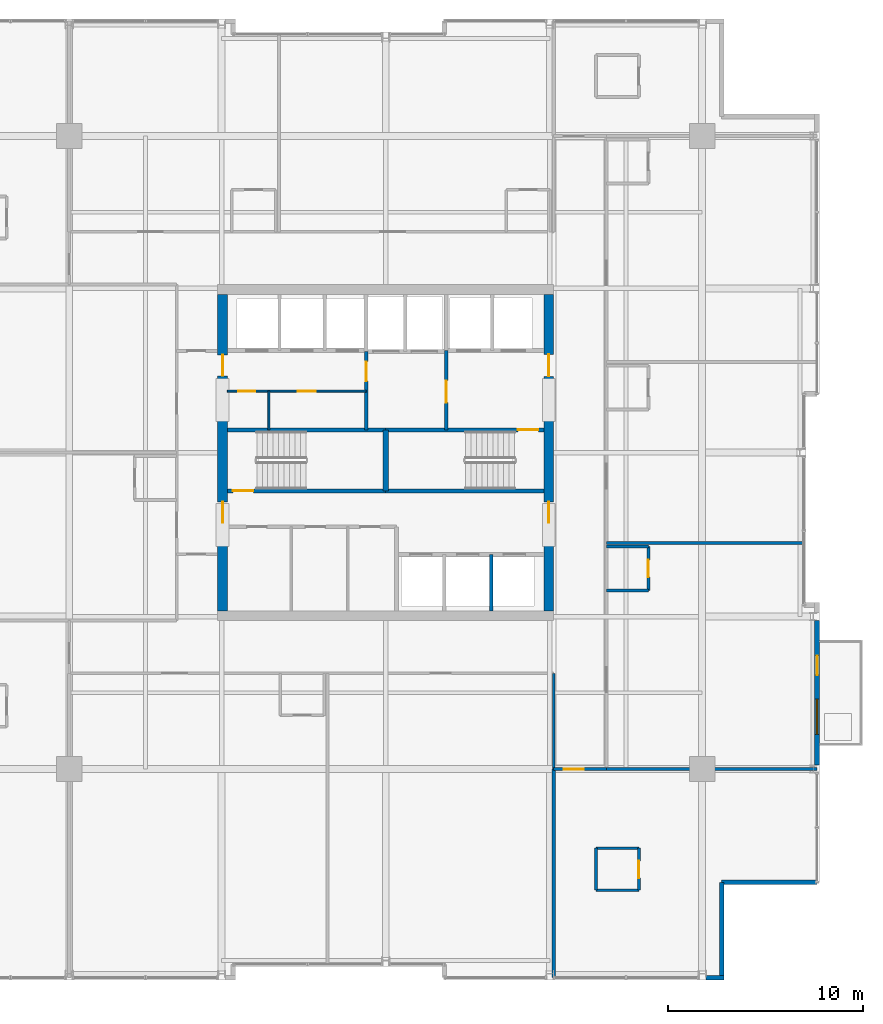
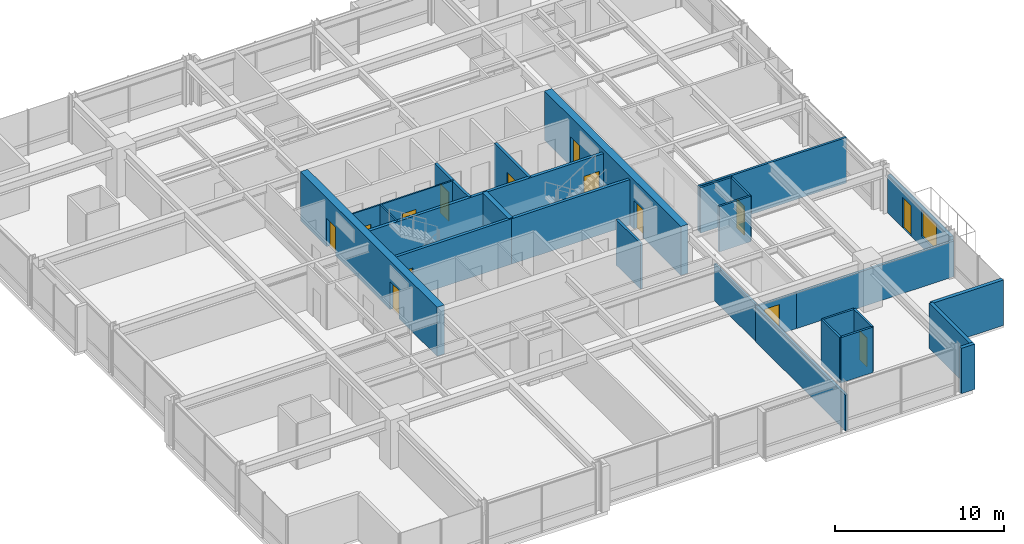
# One storey, part 28 of 32: 28 walls, 14 doors, 1 window, 15 openings.
"""IFC4 building model written with IfcOpenShell, lengths in metres."""

from ifc_helpers import new_model, si_unit, direction, frame, frame_2d, origin, place, context, subcontext, project, spatial, rectangle, extrude, material, layer, layer_set, type_object, element, fill, save


model = new_model("IFC4")

# Units and contexts
model_context = context("Model", 3, precision=1e-05, world=origin(), true_north=direction((0.0, 1.0)))
body_context = subcontext(model_context, "Body", "Model", "MODEL_VIEW")
ifc_project = project(units=[si_unit("LENGTHUNIT", "METRE"), si_unit("AREAUNIT", "SQUARE_METRE"), si_unit("VOLUMEUNIT", "CUBIC_METRE"), si_unit("PLANEANGLEUNIT", "RADIAN"), si_unit("MASSUNIT", "GRAM", prefix="KILO")], contexts=[model_context])

# Site, building, storey
site_placement = place(None, origin())
site = spatial("IfcSite", under=ifc_project, at=site_placement, CompositionType="ELEMENT")
building_placement = place(site_placement, origin())
building = spatial("IfcBuilding", under=site, at=building_placement, Name="Drelvath Grand Hotel", CompositionType="ELEMENT")
storey_placement = place(building_placement, frame((0.0, 0.0, 164.60009765625)))
storey = spatial("IfcBuildingStorey", under=building, at=storey_placement, Name="L42", CompositionType="ELEMENT", Elevation=164.60009765625)

# Wall, openings, doors
ifc_material_1 = material(Name="Gypsum Partition Board")
ifc_layer_1 = layer(ifc_material_1, 0.10009765625)
ifc_layer_set_1 = layer_set([ifc_layer_1], Name="Gypsum Partition Board")
wall_type_1 = type_object("IfcWallType", Name="Core Closet Partition 100", PredefinedType="PARTITIONING", material=ifc_layer_set_1)
wall_1_placement = place(storey_placement, frame((-8.10009765625, 30.139892578125, 0.0), z_axis=(0.0, 0.0, 1.0), x_axis=(1.0, 0.0, 0.0)))
wall_1 = element("IfcWall", 1, at=wall_1_placement, inside=storey, type_object=wall_type_1, Name="L42 High-Rise Lobby Closet Wall", PredefinedType="PARTITIONING", context=body_context, shape_type="SweptSolid", body=[
    extrude(rectangle(XDim=7.10009765625, YDim=0.10009765625, at=frame_2d((3.550048828125, 0.0))), origin(), (0.0, 0.0, 1.0), 3.289794921875),
])
opening_1_placement = place(wall_1_placement, frame((0.550048828125, 0.0, 0.0)))
opening_1 = element("IfcOpeningElement", 2, at=opening_1_placement, cuts=wall_1, Name="Opening D-T3G2-014", PredefinedType="OPENING", context=body_context, shape_type="SweptSolid", body=[
    extrude(rectangle(XDim=0.8798828125, YDim=2.10009765625, at=frame_2d((0.43994140625, 1.050048828125))), frame((0.0, 0.06005859375, 0.0), z_axis=(0.0, -1.0, 0.0), x_axis=(1.0, 0.0, 0.0)), (0.0, 0.0, 1.0), 0.1201171875),
])
opening_2_placement = place(wall_1_placement, frame((3.60009765625, 0.0, 0.0)))
opening_2 = element("IfcOpeningElement", 3, at=opening_2_placement, cuts=wall_1, Name="Opening D-T3G2-015", PredefinedType="OPENING", context=body_context, shape_type="SweptSolid", body=[
    extrude(rectangle(XDim=0.919921875, YDim=2.10009765625, at=frame_2d((0.4599609375, 1.050048828125))), frame((0.0, 0.06005859375, 0.0), z_axis=(0.0, -1.0, 0.0), x_axis=(1.0, 0.0, 0.0)), (0.0, 0.0, 1.0), 0.1201171875),
])
ifc_material_2 = material(Name="Hardwood Walnut Timber", Category="wood")
door_type_1 = type_object("IfcDoorType", Name="En-Suite Bathroom Door 880x2100", OperationType="NOTDEFINED", PredefinedType="DOOR", material=ifc_material_2)
door_1_placement = place(opening_1_placement, origin())
door_1 = element("IfcDoor", 4, at=door_1_placement, inside=storey, type_object=door_type_1, Name="L42 Low-Voltage Closet Door", OperationType="SINGLE_SWING_LEFT", OverallHeight=2.10009765625, OverallWidth=0.8798828125, PredefinedType="DOOR", context=body_context, shape_type="SweptSolid", body=[
    extrude(rectangle(XDim=0.8798828125, YDim=2.10009765625, at=frame_2d((0.43994140625, 1.050048828125))), frame((0.0, 0.02490234375, 0.0), z_axis=(0.0, -1.0, 0.0), x_axis=(1.0, 0.0, 0.0)), (0.0, 0.0, 1.0), 0.050048828125),
])
fill(opening_1, door_1)
ifc_material_3 = material(Name="Painted Steel S275", Category="steel")
door_type_2 = type_object("IfcDoorType", Name="Staff Utility Door 920x2100", OperationType="NOTDEFINED", PredefinedType="DOOR", material=ifc_material_3)
door_2_placement = place(opening_2_placement, origin())
door_2 = element("IfcDoor", 5, at=door_2_placement, inside=storey, type_object=door_type_2, Name="L42 Telecom Distribution Door", OperationType="SINGLE_SWING_RIGHT", OverallHeight=2.10009765625, OverallWidth=0.919921875, PredefinedType="DOOR", context=body_context, shape_type="SweptSolid", body=[
    extrude(rectangle(XDim=0.919921875, YDim=2.10009765625, at=frame_2d((0.4599609375, 1.050048828125))), frame((0.0, 0.02490234375, 0.0), z_axis=(0.0, -1.0, 0.0), x_axis=(1.0, 0.0, 0.0)), (0.0, 0.0, 1.0), 0.050048828125),
])
fill(opening_2, door_2)

# Wall
wall_2_placement = place(storey_placement, frame((-5.97998046875, 28.159912109375, 0.0), z_axis=(0.0, 0.0, 1.0), x_axis=(0.0, 1.0, 0.0)))
element("IfcWall", 6, at=wall_2_placement, inside=storey, type_object=wall_type_1, Name="L42 Core Closet Split 2", PredefinedType="PARTITIONING", context=body_context, shape_type="SweptSolid", body=[
    extrude(rectangle(XDim=1.97998046875, YDim=0.10009765625, at=frame_2d((0.989990234375, 0.0))), origin(), (0.0, 0.0, 1.0), 3.289794921875),
])

# Wall, opening, door
ifc_material_4 = material(Name="Concrete C40/50", Category="concrete")
ifc_layer_2 = layer(ifc_material_4, 0.199951171875)
ifc_layer_set_2 = layer_set([ifc_layer_2], Name="Concrete C40/50")
wall_type_2 = type_object("IfcWallType", Name="Core Shaft Fire Wall 200", PredefinedType="SOLIDWALL", material=ifc_layer_set_2)
wall_3_placement = place(storey_placement, frame((-8.10009765625, 25.0400390625, 0.0), z_axis=(0.0, 0.0, 1.0), x_axis=(1.0, 0.0, 0.0)))
wall_3 = element("IfcWall", 7, at=wall_3_placement, inside=storey, type_object=wall_type_2, Name="L42 Stair ST-1 South Wall", PredefinedType="SOLIDWALL", context=body_context, shape_type="SweptSolid", body=[
    extrude(rectangle(XDim=8.10009765625, YDim=0.199951171875, at=frame_2d((4.050048828125, 0.0))), origin(), (0.0, 0.0, 1.0), 3.289794921875),
])
opening_3_placement = place(wall_3_placement, frame((0.280029296875, 0.0, 0.0)))
opening_3 = element("IfcOpeningElement", 8, at=opening_3_placement, cuts=wall_3, Name="Opening D-T3G2-001", PredefinedType="OPENING", context=body_context, shape_type="SweptSolid", body=[
    extrude(rectangle(XDim=1.050048828125, YDim=2.10009765625, at=frame_2d((0.52490234375, 1.050048828125))), frame((0.0, 0.10986328125, 0.0), z_axis=(0.0, -1.0, 0.0), x_axis=(1.0, 0.0, 0.0)), (0.0, 0.0, 1.0), 0.219970703125),
])
door_type_3 = type_object("IfcDoorType", Name="Tower Stairwell Fire Door 1050x2100", OperationType="NOTDEFINED", PredefinedType="DOOR", material=ifc_material_3)
door_3_placement = place(opening_3_placement, origin())
door_3 = element("IfcDoor", 9, at=door_3_placement, inside=storey, type_object=door_type_3, Name="L42 Exit Stair ST-1 Door", OperationType="SINGLE_SWING_LEFT", OverallHeight=2.10009765625, OverallWidth=1.050048828125, PredefinedType="DOOR", context=body_context, shape_type="SweptSolid", body=[
    extrude(rectangle(XDim=1.050048828125, YDim=2.10009765625, at=frame_2d((0.52490234375, 1.050048828125))), frame((0.0, 0.02490234375, 0.0), z_axis=(0.0, -1.0, 0.0), x_axis=(1.0, 0.0, 0.0)), (0.0, 0.0, 1.0), 0.050048828125),
])
fill(opening_3, door_3)

# Walls
for number, where, z_axis, x_axis, name in (
    (10, (-8.10009765625, 28.159912109375, 0.0), (0.0, 0.0, 1.0), (1.0, 0.0, 0.0), "L42 Stair ST-1 North Wall"),
    (11, (0.0, 25.0400390625, 0.0), (0.0, 0.0, 1.0), (1.0, 0.0, 0.0), "L42 Stair ST-2 South Wall"),
):
    element("IfcWall", number, at=place(storey_placement, frame(where, z_axis=z_axis, x_axis=x_axis)), inside=storey, type_object=wall_type_2, Name=name, PredefinedType="SOLIDWALL", context=body_context, shape_type="SweptSolid", body=[
        extrude(rectangle(XDim=8.10009765625, YDim=0.199951171875, at=frame_2d((4.050048828125, 0.0))), origin(), (0.0, 0.0, 1.0), 3.289794921875),
    ])

# Wall, opening, door
wall_4_placement = place(storey_placement, frame((8.10009765625, 28.159912109375, 0.0), z_axis=(0.0, 0.0, 1.0), x_axis=(-1.0, 0.0, 0.0)))
wall_4 = element("IfcWall", 12, at=wall_4_placement, inside=storey, type_object=wall_type_2, Name="L42 Stair ST-2 North Wall", PredefinedType="SOLIDWALL", context=body_context, shape_type="SweptSolid", body=[
    extrude(rectangle(XDim=8.10009765625, YDim=0.199951171875, at=frame_2d((4.050048828125, 0.0))), origin(), (0.0, 0.0, 1.0), 3.289794921875),
])
opening_4_placement = place(wall_4_placement, frame((0.280029296875, 0.0, 0.0)))
opening_4 = element("IfcOpeningElement", 13, at=opening_4_placement, cuts=wall_4, Name="Opening D-T3G2-002", PredefinedType="OPENING", context=body_context, shape_type="SweptSolid", body=[
    extrude(rectangle(XDim=1.050048828125, YDim=2.10009765625, at=frame_2d((0.52490234375, 1.050048828125))), frame((0.0, 0.10986328125, 0.0), z_axis=(0.0, -1.0, 0.0), x_axis=(1.0, 0.0, 0.0)), (0.0, 0.0, 1.0), 0.219970703125),
])
door_4_placement = place(opening_4_placement, origin())
door_4 = element("IfcDoor", 14, at=door_4_placement, inside=storey, type_object=door_type_3, Name="L42 Exit Stair ST-2 Door", OperationType="SINGLE_SWING_LEFT", OverallHeight=2.10009765625, OverallWidth=1.050048828125, PredefinedType="DOOR", context=body_context, shape_type="SweptSolid", body=[
    extrude(rectangle(XDim=1.050048828125, YDim=2.10009765625, at=frame_2d((0.52490234375, 1.050048828125))), frame((0.0, 0.02490234375, 0.0), z_axis=(0.0, -1.0, 0.0), x_axis=(1.0, 0.0, 0.0)), (0.0, 0.0, 1.0), 0.050048828125),
])
fill(opening_4, door_4)

# Walls
ifc_layer_3 = layer(ifc_material_4, 0.300048828125)
ifc_layer_set_3 = layer_set([ifc_layer_3], Name="Concrete C40/50")
wall_type_3 = type_object("IfcWallType", Name="Core Shaft Fire Wall 300", PredefinedType="SOLIDWALL", material=ifc_layer_set_3)
wall_5_placement = place(storey_placement, frame((0.0, 25.0400390625, 0.0), z_axis=(0.0, 0.0, 1.0), x_axis=(0.0, 1.0, 0.0)))
element("IfcWall", 15, at=wall_5_placement, inside=storey, type_object=wall_type_3, Name="L42 Core Stair Divider Wall", PredefinedType="SOLIDWALL", context=body_context, shape_type="SweptSolid", body=[
    extrude(rectangle(XDim=3.119873046875, YDim=0.300048828125, at=frame_2d((1.56005859375, 0.0))), origin(), (0.0, 0.0, 1.0), 3.289794921875),
])
ifc_material_5 = material(Name="Gypsum Fireboard Partition")
ifc_layer_4 = layer(ifc_material_5, 0.1650390625)
ifc_layer_set_4 = layer_set([ifc_layer_4], Name="Gypsum Fireboard Partition")
wall_type_4 = type_object("IfcWallType", Name="Core Shaft Partition 165", PredefinedType="PARTITIONING", material=ifc_layer_set_4)
wall_6_placement = place(storey_placement, frame((5.39990234375, 18.89990234375, 0.0), z_axis=(0.0, 0.0, 1.0), x_axis=(0.0, 1.0, 0.0)))
element("IfcWall", 16, at=wall_6_placement, inside=storey, type_object=wall_type_4, Name="L42 Lift PE-5/6 Divider", PredefinedType="PARTITIONING", context=body_context, shape_type="SweptSolid", body=[
    extrude(rectangle(XDim=2.880126953125, YDim=0.1650390625, at=frame_2d((1.43994140625, 0.0))), origin(), (0.0, 0.0, 1.0), 3.289794921875),
])
ifc_layer_5 = layer(ifc_material_5, 0.135009765625)
ifc_layer_set_5 = layer_set([ifc_layer_5], Name="Gypsum Fireboard Partition")
wall_type_5 = type_object("IfcWallType", Name="Corridor Fire Barrier Wall 135", PredefinedType="PARTITIONING", material=ifc_layer_set_5)
wall_7_placement = place(storey_placement, frame((8.60009765625, 10.800048828125, 0.0), z_axis=(0.0, 0.0, 1.0), x_axis=(0.0, 1.0, 0.0)))
element("IfcWall", 17, at=wall_7_placement, inside=storey, type_object=wall_type_5, Name="L42 East Spine South Inner Wall", PredefinedType="PARTITIONING", context=body_context, shape_type="SweptSolid", body=[
    extrude(rectangle(XDim=4.89990234375, YDim=0.135009765625, at=frame_2d((2.449951171875, 0.0))), origin(), (0.0, 0.0, 1.0), 2.667236328125),
])

# Wall, opening, door
wall_8_placement = place(storey_placement, frame((8.60009765625, 10.800048828125, 0.0), z_axis=(0.0, 0.0, 1.0), x_axis=(1.0, 0.0, 0.0)))
wall_8 = element("IfcWall", 18, at=wall_8_placement, inside=storey, type_object=wall_type_5, Name="L42 East Spine South End", PredefinedType="PARTITIONING", context=body_context, shape_type="SweptSolid", body=[
    extrude(rectangle(XDim=2.699951171875, YDim=0.135009765625, at=frame_2d((1.35009765625, 0.0))), origin(), (0.0, 0.0, 1.0), 2.579345703125),
])
opening_5_placement = place(wall_8_placement, frame((0.52001953125, 0.0, 0.0)))
opening_5 = element("IfcOpeningElement", 19, at=opening_5_placement, cuts=wall_8, Name="Opening D-T3G2-031", PredefinedType="OPENING", context=body_context, shape_type="SweptSolid", body=[
    extrude(rectangle(XDim=1.02001953125, YDim=2.14990234375, at=frame_2d((0.510009765625, 1.074951171875))), frame((0.0, 0.077392578125, 0.0), z_axis=(0.0, -1.0, 0.0), x_axis=(1.0, 0.0, 0.0)), (0.0, 0.0, 1.0), 0.155029296875),
])
door_type_4 = type_object("IfcDoorType", Name="Amenity Meeting Fire Door 1020x2150", OperationType="NOTDEFINED", PredefinedType="DOOR", material=ifc_material_2)
door_5_placement = place(opening_5_placement, origin())
door_5 = element("IfcDoor", 20, at=door_5_placement, inside=storey, type_object=door_type_4, Name="L42 Executive Suite Entry Door", OperationType="SINGLE_SWING_LEFT", OverallHeight=2.14990234375, OverallWidth=1.02001953125, PredefinedType="DOOR", context=body_context, shape_type="SweptSolid", body=[
    extrude(rectangle(XDim=1.02001953125, YDim=2.14990234375, at=frame_2d((0.510009765625, 1.074951171875))), frame((0.0, 0.02490234375, 0.0), z_axis=(0.0, -1.0, 0.0), x_axis=(1.0, 0.0, 0.0)), (0.0, 0.0, 1.0), 0.050048828125),
])
fill(opening_5, door_5)

# Walls
ifc_material_6 = material(Name="Moisture-Resistant Gypsum Board")
ifc_layer_6 = layer(ifc_material_6, 0.139892578125)
ifc_layer_set_6 = layer_set([ifc_layer_6], Name="Moisture-Resistant Gypsum Board")
wall_type_6 = type_object("IfcWallType", Name="En-Suite Plumbing Wall 140", PredefinedType="PLUMBINGWALL", material=ifc_layer_set_6)
for number, where, z_axis, x_axis, name in (
    (21, (10.760009765625, 4.60009765625, 0.0), (0.0, 0.0, 1.0), (1.0, 0.0, 0.0), "L42 Corner En-Suite South"),
    (22, (10.760009765625, 6.75, 0.0), (0.0, 0.0, 1.0), (1.0, 0.0, 0.0), "L42 Corner En-Suite North"),
):
    element("IfcWall", number, at=place(storey_placement, frame(where, z_axis=z_axis, x_axis=x_axis)), inside=storey, type_object=wall_type_6, Name=name, PredefinedType="PLUMBINGWALL", context=body_context, shape_type="SweptSolid", body=[
        extrude(rectangle(XDim=2.199951171875, YDim=0.139892578125, at=frame_2d((1.10009765625, 0.0))), origin(), (0.0, 0.0, 1.0), 3.289794921875),
    ])
wall_9_placement = place(storey_placement, frame((10.760009765625, 4.60009765625, 0.0), z_axis=(0.0, 0.0, 1.0), x_axis=(0.0, 1.0, 0.0)))
element("IfcWall", 23, at=wall_9_placement, inside=storey, type_object=wall_type_6, Name="L42 Corner En-Suite West", PredefinedType="PLUMBINGWALL", context=body_context, shape_type="SweptSolid", body=[
    extrude(rectangle(XDim=2.14990234375, YDim=0.139892578125, at=frame_2d((1.074951171875, 0.0))), origin(), (0.0, 0.0, 1.0), 3.289794921875),
])

# Wall, opening, door
wall_10_placement = place(storey_placement, frame((12.9599609375, 4.60009765625, 0.0), z_axis=(0.0, 0.0, 1.0), x_axis=(0.0, 1.0, 0.0)))
wall_10 = element("IfcWall", 24, at=wall_10_placement, inside=storey, type_object=wall_type_6, Name="L42 Corner En-Suite East", PredefinedType="PLUMBINGWALL", context=body_context, shape_type="SweptSolid", body=[
    extrude(rectangle(XDim=2.14990234375, YDim=0.139892578125, at=frame_2d((1.074951171875, 0.0))), origin(), (0.0, 0.0, 1.0), 3.289794921875),
])
opening_6_placement = place(wall_10_placement, frame((0.6201171875, 0.0, 0.0)))
opening_6 = element("IfcOpeningElement", 25, at=opening_6_placement, cuts=wall_10, Name="Opening D-T3G2-030", PredefinedType="OPENING", context=body_context, shape_type="SweptSolid", body=[
    extrude(rectangle(XDim=0.8798828125, YDim=2.10009765625, at=frame_2d((0.43994140625, 1.050048828125))), frame((0.0, 0.079833984375, 0.0), z_axis=(0.0, -1.0, 0.0), x_axis=(1.0, 0.0, 0.0)), (0.0, 0.0, 1.0), 0.159912109375),
])
door_6_placement = place(opening_6_placement, origin())
door_6 = element("IfcDoor", 26, at=door_6_placement, inside=storey, type_object=door_type_1, Name="L42 Corner En-Suite Door", OperationType="SINGLE_SWING_RIGHT", OverallHeight=2.10009765625, OverallWidth=0.8798828125, PredefinedType="DOOR", context=body_context, shape_type="SweptSolid", body=[
    extrude(rectangle(XDim=0.8798828125, YDim=2.10009765625, at=frame_2d((0.43994140625, 1.050048828125))), frame((0.0, 0.02490234375, 0.0), z_axis=(0.0, -1.0, 0.0), x_axis=(1.0, 0.0, 0.0)), (0.0, 0.0, 1.0), 0.050048828125),
])
fill(opening_6, door_6)

# Walls
for number, where, z_axis, x_axis, name in (
    (27, (11.300048828125, 19.94140625, 0.0), (0.0, 0.0, 1.0), (1.0, 0.0, 0.0), "L42 En-Suite Left Wall"),
    (28, (11.300048828125, 22.19140625, 0.0), (0.0, 0.0, 1.0), (1.0, 0.0, 0.0), "L42 En-Suite Right Wall"),
):
    element("IfcWall", number, at=place(storey_placement, frame(where, z_axis=z_axis, x_axis=x_axis)), inside=storey, type_object=wall_type_6, Name=name, PredefinedType="PLUMBINGWALL", context=body_context, shape_type="SweptSolid", body=[
        extrude(rectangle(XDim=2.14990234375, YDim=0.139892578125, at=frame_2d((1.074951171875, 0.0))), origin(), (0.0, 0.0, 1.0), 3.289794921875),
    ])

# Wall, opening, door
wall_11_placement = place(storey_placement, frame((13.449951171875, 19.94140625, 0.0), z_axis=(0.0, 0.0, 1.0), x_axis=(0.0, 1.0, 0.0)))
wall_11 = element("IfcWall", 29, at=wall_11_placement, inside=storey, type_object=wall_type_6, Name="L42 En-Suite Front Wall", PredefinedType="PLUMBINGWALL", context=body_context, shape_type="SweptSolid", body=[
    extrude(rectangle(XDim=2.25, YDim=0.139892578125, at=frame_2d((1.125, 0.0))), origin(), (0.0, 0.0, 1.0), 3.289794921875),
])
opening_7_placement = place(wall_11_placement, frame((0.68505859375, 0.0, 0.0)))
opening_7 = element("IfcOpeningElement", 30, at=opening_7_placement, cuts=wall_11, Name="Opening D-T3G2-041", PredefinedType="OPENING", context=body_context, shape_type="SweptSolid", body=[
    extrude(rectangle(XDim=0.8798828125, YDim=2.10009765625, at=frame_2d((0.43994140625, 1.050048828125))), frame((0.0, 0.079833984375, 0.0), z_axis=(0.0, -1.0, 0.0), x_axis=(1.0, 0.0, 0.0)), (0.0, 0.0, 1.0), 0.159912109375),
])
door_7_placement = place(opening_7_placement, origin())
door_7 = element("IfcDoor", 31, at=door_7_placement, inside=storey, type_object=door_type_1, Name="L42 En-Suite Bathroom Door", OperationType="SINGLE_SWING_LEFT", OverallHeight=2.10009765625, OverallWidth=0.8798828125, PredefinedType="DOOR", context=body_context, shape_type="SweptSolid", body=[
    extrude(rectangle(XDim=0.8798828125, YDim=2.10009765625, at=frame_2d((0.43994140625, 1.050048828125))), frame((0.0, 0.02490234375, 0.0), z_axis=(0.0, -1.0, 0.0), x_axis=(1.0, 0.0, 0.0)), (0.0, 0.0, 1.0), 0.050048828125),
])
fill(opening_7, door_7)

ifc_layer_7 = layer(ifc_material_5, 0.179931640625)
ifc_layer_set_7 = layer_set([ifc_layer_7], Name="Gypsum Fireboard Partition")
wall_type_7 = type_object("IfcWallType", Name="FSAE Smoke Lobby Fire Wall 180", PredefinedType="SOLIDWALL", material=ifc_layer_set_7)
wall_12_placement = place(storey_placement, frame((3.10009765625, 28.159912109375, 0.0), z_axis=(0.0, 0.0, 1.0), x_axis=(0.0, 1.0, 0.0)))
wall_12 = element("IfcWall", 32, at=wall_12_placement, inside=storey, type_object=wall_type_7, Name="L42 FSAE Smoke Lobby West Wall", PredefinedType="SOLIDWALL", context=body_context, shape_type="SweptSolid", body=[
    extrude(rectangle(XDim=4.06005859375, YDim=0.179931640625, at=frame_2d((2.030029296875, 0.0))), origin(), (0.0, 0.0, 1.0), 3.289794921875),
])
opening_8_placement = place(wall_12_placement, frame((1.39990234375, 0.0, 0.0)))
opening_8 = element("IfcOpeningElement", 33, at=opening_8_placement, cuts=wall_12, Name="Opening D-T3G2-005", PredefinedType="OPENING", context=body_context, shape_type="SweptSolid", body=[
    extrude(rectangle(XDim=1.1201171875, YDim=2.10009765625, at=frame_2d((0.56005859375, 1.050048828125))), frame((0.0, 0.099853515625, 0.0), z_axis=(0.0, -1.0, 0.0), x_axis=(1.0, 0.0, 0.0)), (0.0, 0.0, 1.0), 0.199951171875),
])
door_type_5 = type_object("IfcDoorType", Name="FSAE Smoke Lobby Fire Door 1120x2100", OperationType="NOTDEFINED", PredefinedType="DOOR", material=ifc_material_3)
door_8_placement = place(opening_8_placement, origin())
door_8 = element("IfcDoor", 34, at=door_8_placement, inside=storey, type_object=door_type_5, Name="L42 FSAE Lobby Service Vestibule Door", OperationType="SINGLE_SWING_RIGHT", OverallHeight=2.10009765625, OverallWidth=1.1201171875, PredefinedType="DOOR", context=body_context, shape_type="SweptSolid", body=[
    extrude(rectangle(XDim=1.1201171875, YDim=2.10009765625, at=frame_2d((0.56005859375, 1.050048828125))), frame((0.0, 0.02490234375, 0.0), z_axis=(0.0, -1.0, 0.0), x_axis=(1.0, 0.0, 0.0)), (0.0, 0.0, 1.0), 0.050048828125),
])
fill(opening_8, door_8)

wall_13_placement = place(storey_placement, frame((-1.0, 28.159912109375, 0.0), z_axis=(0.0, 0.0, 1.0), x_axis=(0.0, 1.0, 0.0)))
wall_13 = element("IfcWall", 35, at=wall_13_placement, inside=storey, type_object=wall_type_7, Name="L42 Service Vestibule West Wall", PredefinedType="SOLIDWALL", context=body_context, shape_type="SweptSolid", body=[
    extrude(rectangle(XDim=4.02001953125, YDim=0.179931640625, at=frame_2d((2.010009765625, 0.0))), origin(), (0.0, 0.0, 1.0), 3.289794921875),
])
opening_9_placement = place(wall_13_placement, frame((2.489990234375, 0.0, 0.0)))
opening_9 = element("IfcOpeningElement", 36, at=opening_9_placement, cuts=wall_13, Name="Opening D-T3G2-009", PredefinedType="OPENING", context=body_context, shape_type="SweptSolid", body=[
    extrude(rectangle(XDim=1.0, YDim=2.10009765625, at=frame_2d((0.5, 1.050048828125))), frame((0.0, 0.099853515625, 0.0), z_axis=(0.0, -1.0, 0.0), x_axis=(1.0, 0.0, 0.0)), (0.0, 0.0, 1.0), 0.199951171875),
])
door_type_6 = type_object("IfcDoorType", Name="Core Service Fire Door 1000x2100", OperationType="NOTDEFINED", PredefinedType="DOOR", material=ifc_material_3)
door_9_placement = place(opening_9_placement, origin())
door_9 = element("IfcDoor", 37, at=door_9_placement, inside=storey, type_object=door_type_6, Name="L42 Service Vestibule West Door", OperationType="SINGLE_SWING_LEFT", OverallHeight=2.10009765625, OverallWidth=1.0, PredefinedType="DOOR", context=body_context, shape_type="SweptSolid", body=[
    extrude(rectangle(XDim=1.0, YDim=2.10009765625, at=frame_2d((0.5, 1.050048828125))), frame((0.0, 0.02490234375, 0.0), z_axis=(0.0, -1.0, 0.0), x_axis=(1.0, 0.0, 0.0)), (0.0, 0.0, 1.0), 0.050048828125),
])
fill(opening_9, door_9)

# Walls
ifc_material_7 = material(Name="Gypsum Acoustic Partition")
ifc_layer_8 = layer(ifc_material_7, 0.14990234375)
ifc_layer_set_8 = layer_set([ifc_layer_8], Name="Gypsum Acoustic Partition")
wall_type_8 = type_object("IfcWallType", Name="Guestroom Demising Wall 150", PredefinedType="PARTITIONING", material=ifc_layer_set_8)
wall_14_placement = place(storey_placement, frame((11.300048828125, 22.371337890625, 0.0), z_axis=(0.0, 0.0, 1.0), x_axis=(1.0, 0.0, 0.0)))
element("IfcWall", 38, at=wall_14_placement, inside=storey, type_object=wall_type_8, Name="L42 East Demising 1", PredefinedType="PARTITIONING", context=body_context, shape_type="SweptSolid", body=[
    extrude(rectangle(XDim=10.099853515625, YDim=0.14990234375, at=frame_2d((5.0498046875, 0.0))), origin(), (0.0, 0.0, 1.0), 3.289794921875),
])
ifc_layer_9 = layer(ifc_material_7, 0.1650390625)
ifc_layer_set_9 = layer_set([ifc_layer_9], Name="Gypsum Acoustic Partition")
wall_type_9 = type_object("IfcWallType", Name="Suite Demising Wall 165", PredefinedType="PARTITIONING", material=ifc_layer_set_9)
wall_15_placement = place(storey_placement, frame((8.60009765625, 0.1201171875, 0.0), z_axis=(0.0, 0.0, 1.0), x_axis=(0.0, 1.0, 0.0)))
element("IfcWall", 39, at=wall_15_placement, inside=storey, type_object=wall_type_9, Name="L42 SE Suite West Wall", PredefinedType="PARTITIONING", context=body_context, shape_type="SweptSolid", body=[
    extrude(rectangle(XDim=10.679931640625, YDim=0.1650390625, at=frame_2d((5.33984375, 0.0))), origin(), (0.0, 0.0, 1.0), 2.579345703125),
])
wall_16_placement = place(storey_placement, frame((11.300048828125, 10.800048828125, 0.0), z_axis=(0.0, 0.0, 1.0), x_axis=(1.0, 0.0, 0.0)))
element("IfcWall", 40, at=wall_16_placement, inside=storey, type_object=wall_type_9, Name="L42 SE Suite North Wall", PredefinedType="PARTITIONING", context=body_context, shape_type="SweptSolid", body=[
    extrude(rectangle(XDim=10.780029296875, YDim=0.1650390625, at=frame_2d((5.39013671875, 0.0))), origin(), (0.0, 0.0, 1.0), 2.579345703125),
])

# Wall, openings, window, door
ifc_material_8 = material(Name="Pale-Metal Insulated Aluminium Spandrel Assembly", Category="aluminium")
ifc_layer_10 = layer(ifc_material_8, 0.239990234375)
ifc_layer_set_10 = layer_set([ifc_layer_10], Name="Pale-Metal Insulated Aluminium Spandrel Assembly")
wall_type_10 = type_object("IfcWallType", Name="Tower Insulated Metal Spandrel Closure Wall 240", PredefinedType="STANDARD", material=ifc_layer_set_10)
wall_17_placement = place(storey_placement, frame((22.080078125, 18.39990234375, 0.0), z_axis=(0.0, 0.0, 1.0), x_axis=(0.0, -1.0, 0.0)))
wall_17 = element("IfcWall", 41, at=wall_17_placement, inside=storey, type_object=wall_type_10, Name="L42 Exterior Terrace Door Bay Wall ES2", PredefinedType="STANDARD", context=body_context, shape_type="SweptSolid", body=[
    extrude(rectangle(XDim=7.39990234375, YDim=0.239990234375, at=frame_2d((3.699951171875, 0.0))), origin(), (0.0, 0.0, 1.0), 2.753173828125),
])
opening_10_placement = place(wall_17_placement, frame((1.800048828125, 0.0, 0.0)))
opening_10 = element("IfcOpeningElement", 42, at=opening_10_placement, cuts=wall_17, Name="Opening TD-1000", PredefinedType="OPENING", context=body_context, shape_type="SweptSolid", body=[
    extrude(rectangle(XDim=1.0, YDim=2.199951171875, at=frame_2d((0.5, 1.10009765625))), frame((0.0, 0.1298828125, 0.0), z_axis=(0.0, -1.0, 0.0), x_axis=(1.0, 0.0, 0.0)), (0.0, 0.0, 1.0), 0.260009765625),
])
opening_11_placement = place(wall_17_placement, frame((4.02490234375, 0.0, 0.75)))
opening_11 = element("IfcOpeningElement", 43, at=opening_11_placement, cuts=wall_17, Name="Opening W-02", PredefinedType="OPENING", context=body_context, shape_type="SweptSolid", body=[
    extrude(rectangle(XDim=1.800048828125, YDim=1.9033203125, at=frame_2d((0.89990234375, 0.95166015625))), frame((0.0, 0.1298828125, 0.0), z_axis=(0.0, -1.0, 0.0), x_axis=(1.0, 0.0, 0.0)), (0.0, 0.0, 1.0), 0.260009765625),
])
ifc_material_9 = material(Name="Bronze Anodised Low-E Triple Glazing", Category="glass")
window_type = type_object("IfcWindowType", Name="Chicago Double-Pane Podium Window 1800x2400", PartitioningType="DOUBLE_PANEL_VERTICAL", PredefinedType="WINDOW", material=ifc_material_9)
window_placement = place(opening_11_placement, origin())
window = element("IfcWindow", 44, at=window_placement, inside=storey, type_object=window_type, Name="L42 Terrace Bay Companion Window ES2", OverallHeight=1.9033203125, OverallWidth=1.800048828125, PartitioningType="SINGLE_PANEL", PredefinedType="WINDOW", context=body_context, shape_type="SweptSolid", body=[
    extrude(rectangle(XDim=1.800048828125, YDim=1.9033203125, at=frame_2d((0.89990234375, 0.95166015625))), frame((0.0, 0.030029296875, 0.0), z_axis=(0.0, -1.0, 0.0), x_axis=(1.0, 0.0, 0.0)), (0.0, 0.0, 1.0), 0.06005859375),
])
fill(opening_11, window)
ifc_material_10 = material(Name="Anodised Aluminium Thermally Broken Glazed Door", Category="aluminium")
door_type_7 = type_object("IfcDoorType", Name="Terrace and Tree Balcony Glazed Door 1000x2200", OperationType="NOTDEFINED", PredefinedType="DOOR", material=ifc_material_10)
door_10_placement = place(opening_10_placement, origin())
door_10 = element("IfcDoor", 45, at=door_10_placement, inside=storey, type_object=door_type_7, Name="L42 Tree Balcony Door DOOR-L42-TBAL-1", OperationType="SINGLE_SWING_LEFT", OverallHeight=2.199951171875, OverallWidth=1.0, PredefinedType="DOOR", context=body_context, shape_type="SweptSolid", body=[
    extrude(rectangle(XDim=1.0, YDim=2.199951171875, at=frame_2d((0.5, 1.10009765625))), frame((0.0, 0.02490234375, 0.0), z_axis=(0.0, -1.0, 0.0), x_axis=(1.0, 0.0, 0.0)), (0.0, 0.0, 1.0), 0.050048828125),
])
fill(opening_10, door_10)

# Walls
wall_18_placement = place(storey_placement, frame((17.320068359375, 0.1201171875, 0.0), z_axis=(0.0, 0.0, 1.0), x_axis=(-1.0, 0.0, 0.0)))
element("IfcWall", 46, at=wall_18_placement, inside=storey, type_object=wall_type_10, Name="L42 Corner Pier Spandrel Wall SE3", PredefinedType="STANDARD", context=body_context, shape_type="SweptSolid", body=[
    extrude(rectangle(XDim=0.919921875, YDim=0.239990234375, at=frame_2d((0.4599609375, 0.0))), origin(), (0.0, 0.0, 1.0), 3.289794921875),
])
wall_19_placement = place(storey_placement, frame((22.080078125, 5.0, 0.0), z_axis=(0.0, 0.0, 1.0), x_axis=(-1.0, 0.0, 0.0)))
element("IfcWall", 47, at=wall_19_placement, inside=storey, type_object=wall_type_10, Name="L42 Notched Corner Return Spandrel Wall CSE1", PredefinedType="STANDARD", context=body_context, shape_type="SweptSolid", body=[
    extrude(rectangle(XDim=4.880126953125, YDim=0.239990234375, at=frame_2d((2.43994140625, 0.0))), origin(), (0.0, 0.0, 1.0), 3.289794921875),
])
wall_20_placement = place(storey_placement, frame((17.199951171875, 5.0, 0.0), z_axis=(0.0, 0.0, 1.0), x_axis=(0.0, -1.0, 0.0)))
element("IfcWall", 48, at=wall_20_placement, inside=storey, type_object=wall_type_10, Name="L42 Notched Corner Return Spandrel Wall CSE2", PredefinedType="STANDARD", context=body_context, shape_type="SweptSolid", body=[
    extrude(rectangle(XDim=4.760009765625, YDim=0.239990234375, at=frame_2d((2.3798828125, 0.0))), origin(), (0.0, 0.0, 1.0), 3.289794921875),
])

# Wall, openings, doors
ifc_material_11 = material(Name="Concrete f'c 55 MPa", Category="concrete")
ifc_layer_11 = layer(ifc_material_11, 0.5)
ifc_layer_set_11 = layer_set([ifc_layer_11], Name="Concrete f'c 55 MPa")
wall_type_11 = type_object("IfcWallType", Name="Upper Core RC Shear Wall 500", PredefinedType="SHEAR", material=ifc_layer_set_11)
wall_21_placement = place(storey_placement, frame((8.35009765625, 35.10009765625, 0.0), z_axis=(0.0, 0.0, 1.0), x_axis=(0.0, -1.0, 0.0)))
wall_21 = element("IfcWall", 49, at=wall_21_placement, inside=storey, type_object=wall_type_11, Name="L42 Central Core Shear Wall E", PredefinedType="SHEAR", context=body_context, shape_type="SweptSolid", body=[
    extrude(rectangle(XDim=16.2001953125, YDim=0.5, at=frame_2d((8.10009765625, 0.0))), origin(), (0.0, 0.0, 1.0), 3.5498046875),
])
opening_12_placement = place(wall_21_placement, frame((3.080078125, 0.0, 0.0)))
opening_12 = element("IfcOpeningElement", 50, at=opening_12_placement, cuts=wall_21, Name="Opening D-T3G2-006", PredefinedType="OPENING", context=body_context, shape_type="SweptSolid", body=[
    extrude(rectangle(XDim=1.1201171875, YDim=2.10009765625, at=frame_2d((0.56005859375, 1.050048828125))), frame((0.0, 0.260009765625, 0.0), z_axis=(0.0, -1.0, 0.0), x_axis=(1.0, 0.0, 0.0)), (0.0, 0.0, 1.0), 0.52001953125),
])
opening_13_placement = place(wall_21_placement, frame((10.6201171875, 0.0, 0.0)))
opening_13 = element("IfcOpeningElement", 51, at=opening_13_placement, cuts=wall_21, Name="Opening D-T3G2-020", PredefinedType="OPENING", context=body_context, shape_type="SweptSolid", body=[
    extrude(rectangle(XDim=1.080078125, YDim=2.0400390625, at=frame_2d((0.5400390625, 1.02001953125))), frame((0.0, 0.260009765625, 0.0), z_axis=(0.0, -1.0, 0.0), x_axis=(1.0, 0.0, 0.0)), (0.0, 0.0, 1.0), 0.52001953125),
])
door_type_8 = type_object("IfcDoorType", Name="Core Corridor Fire Door 1080x2100", OperationType="NOTDEFINED", PredefinedType="DOOR", material=ifc_material_3)
door_11_placement = place(opening_13_placement, origin())
door_11 = element("IfcDoor", 52, at=door_11_placement, inside=storey, type_object=door_type_8, Name="L42 Mid-Rise Lobby East Door", OperationType="SINGLE_SWING_RIGHT", OverallHeight=2.0400390625, OverallWidth=1.080078125, PredefinedType="DOOR", context=body_context, shape_type="SweptSolid", body=[
    extrude(rectangle(XDim=1.080078125, YDim=2.0400390625, at=frame_2d((0.5400390625, 1.02001953125))), frame((0.0, 0.02490234375, 0.0), z_axis=(0.0, -1.0, 0.0), x_axis=(1.0, 0.0, 0.0)), (0.0, 0.0, 1.0), 0.050048828125),
])
fill(opening_13, door_11)
door_12_placement = place(opening_12_placement, origin())
door_12 = element("IfcDoor", 53, at=door_12_placement, inside=storey, type_object=door_type_5, Name="L42 FSAE Lobby East Corridor Door", OperationType="SINGLE_SWING_LEFT", OverallHeight=2.10009765625, OverallWidth=1.1201171875, PredefinedType="DOOR", context=body_context, shape_type="SweptSolid", body=[
    extrude(rectangle(XDim=1.1201171875, YDim=2.10009765625, at=frame_2d((0.56005859375, 1.050048828125))), frame((0.0, 0.02490234375, 0.0), z_axis=(0.0, -1.0, 0.0), x_axis=(1.0, 0.0, 0.0)), (0.0, 0.0, 1.0), 0.050048828125),
])
fill(opening_12, door_12)

wall_22_placement = place(storey_placement, frame((-8.35009765625, 18.89990234375, 0.0), z_axis=(0.0, 0.0, 1.0), x_axis=(0.0, 1.0, 0.0)))
wall_22 = element("IfcWall", 54, at=wall_22_placement, inside=storey, type_object=wall_type_11, Name="L42 Central Core Shear Wall W", PredefinedType="SHEAR", context=body_context, shape_type="SweptSolid", body=[
    extrude(rectangle(XDim=16.2001953125, YDim=0.5, at=frame_2d((8.10009765625, 0.0))), origin(), (0.0, 0.0, 1.0), 3.5498046875),
])
opening_14_placement = place(wall_22_placement, frame((12.02001953125, 0.0, 0.0)))
opening_14 = element("IfcOpeningElement", 55, at=opening_14_placement, cuts=wall_22, Name="Opening D-T3G2-013", PredefinedType="OPENING", context=body_context, shape_type="SweptSolid", body=[
    extrude(rectangle(XDim=1.080078125, YDim=2.0400390625, at=frame_2d((0.5400390625, 1.02001953125))), frame((0.0, 0.260009765625, 0.0), z_axis=(0.0, -1.0, 0.0), x_axis=(1.0, 0.0, 0.0)), (0.0, 0.0, 1.0), 0.52001953125),
])
opening_15_placement = place(wall_22_placement, frame((4.5, 0.0, 0.0)))
opening_15 = element("IfcOpeningElement", 56, at=opening_15_placement, cuts=wall_22, Name="Opening D-T3G2-019", PredefinedType="OPENING", context=body_context, shape_type="SweptSolid", body=[
    extrude(rectangle(XDim=1.080078125, YDim=2.0400390625, at=frame_2d((0.5400390625, 1.02001953125))), frame((0.0, 0.260009765625, 0.0), z_axis=(0.0, -1.0, 0.0), x_axis=(1.0, 0.0, 0.0)), (0.0, 0.0, 1.0), 0.52001953125),
])
door_13_placement = place(opening_14_placement, origin())
door_13 = element("IfcDoor", 57, at=door_13_placement, inside=storey, type_object=door_type_8, Name="L42 High-Rise Lift Lobby West Door", OperationType="SINGLE_SWING_RIGHT", OverallHeight=2.0400390625, OverallWidth=1.080078125, PredefinedType="DOOR", context=body_context, shape_type="SweptSolid", body=[
    extrude(rectangle(XDim=1.080078125, YDim=2.0400390625, at=frame_2d((0.5400390625, 1.02001953125))), frame((0.0, 0.02490234375, 0.0), z_axis=(0.0, -1.0, 0.0), x_axis=(1.0, 0.0, 0.0)), (0.0, 0.0, 1.0), 0.050048828125),
])
fill(opening_14, door_13)
door_14_placement = place(opening_15_placement, origin())
door_14 = element("IfcDoor", 58, at=door_14_placement, inside=storey, type_object=door_type_8, Name="L42 Mid-Rise Lobby West Door", OperationType="SINGLE_SWING_LEFT", OverallHeight=2.0400390625, OverallWidth=1.080078125, PredefinedType="DOOR", context=body_context, shape_type="SweptSolid", body=[
    extrude(rectangle(XDim=1.080078125, YDim=2.0400390625, at=frame_2d((0.5400390625, 1.02001953125))), frame((0.0, 0.02490234375, 0.0), z_axis=(0.0, -1.0, 0.0), x_axis=(1.0, 0.0, 0.0)), (0.0, 0.0, 1.0), 0.050048828125),
])
fill(opening_15, door_14)

save(model, "model.ifc")
